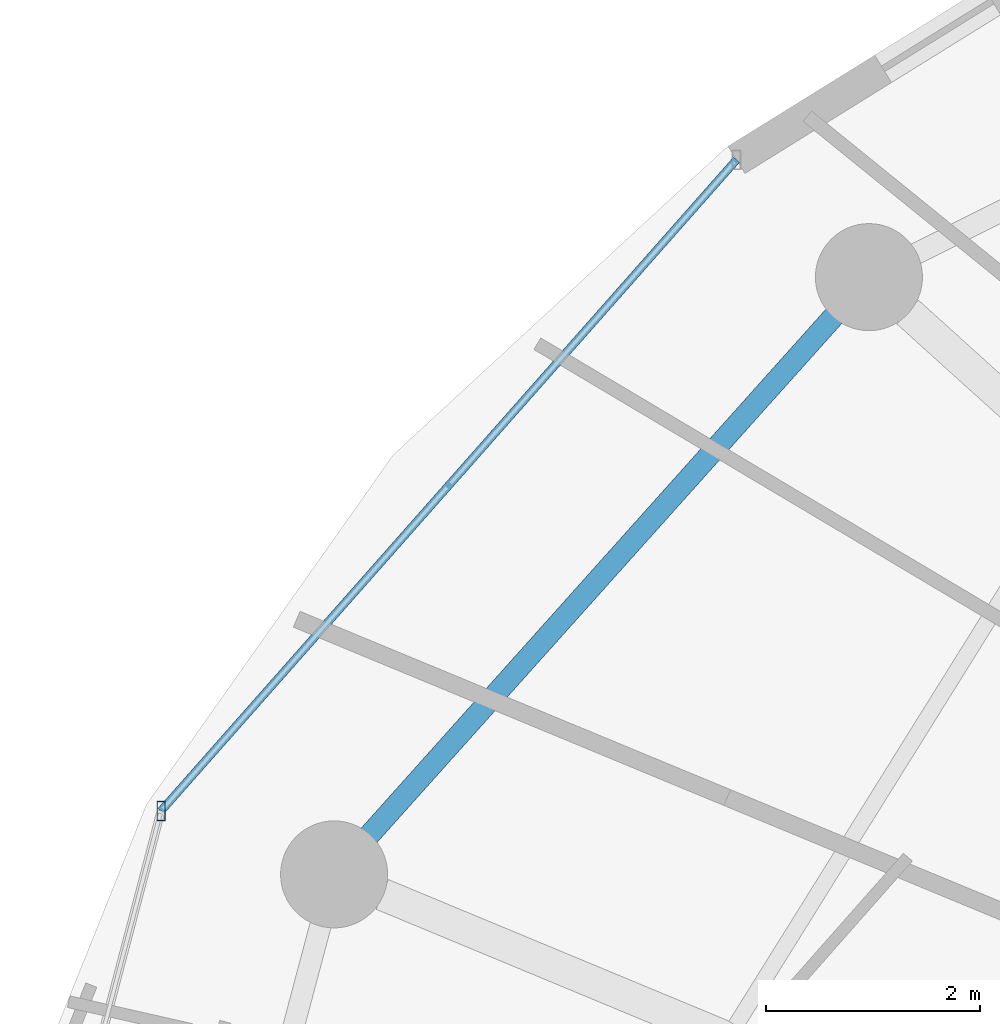
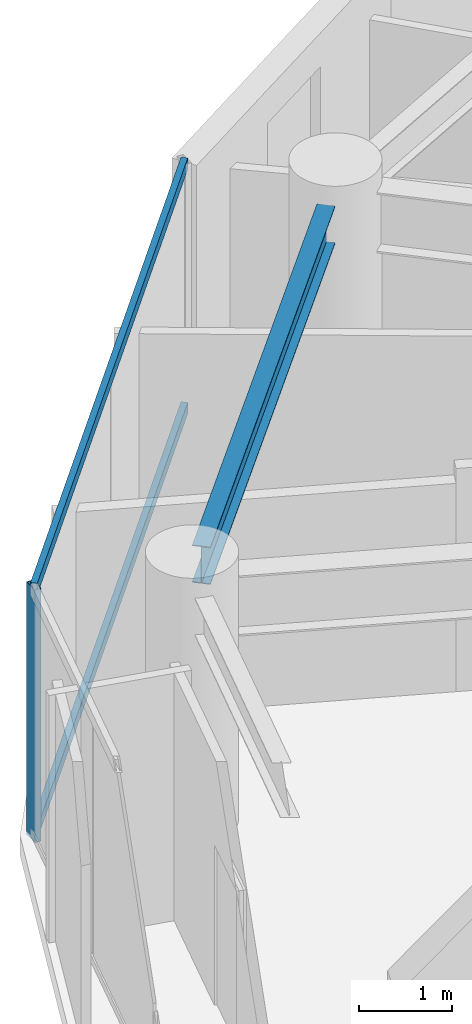
# One storey, part 8 of 28: 3 members, 1 beam, 1 element without a shape of its own.
"""IFC4 building model written with IfcOpenShell, lengths in metres."""

from ifc_helpers import new_model, si_unit, direction, frame, origin, origin_2d, place, context, subcontext, project, spatial, hollow_rectangle, i_section, extrude, material, material_profile, profile_set, type_object, element, aggregate, save


model = new_model("IFC4")

# Units and contexts
model_context = context("Model", 3, precision=1e-05, world=origin(), true_north=direction((0.0, 1.0)))
body_context = subcontext(model_context, "Body", "Model", "MODEL_VIEW")
ifc_project = project(units=[si_unit("LENGTHUNIT", "METRE"), si_unit("AREAUNIT", "SQUARE_METRE"), si_unit("VOLUMEUNIT", "CUBIC_METRE"), si_unit("PLANEANGLEUNIT", "RADIAN"), si_unit("MASSUNIT", "GRAM", prefix="KILO")], contexts=[model_context])

# Site, building, storey
site_placement = place(None, origin())
site = spatial("IfcSite", under=ifc_project, at=site_placement, CompositionType="ELEMENT")
building_placement = place(site_placement, origin())
building = spatial("IfcBuilding", under=site, at=building_placement, Name="Vorneva Point Tower", CompositionType="ELEMENT")
storey_placement = place(building_placement, frame((0.0, 0.0, 146.60009765625)))
storey = spatial("IfcBuildingStorey", under=building, at=storey_placement, Name="L39", CompositionType="ELEMENT", Elevation=146.60009765625)

# Beam
ifc_material_1 = material(Name="Steel S355", Category="steel")
ifc_material_profile_1 = material_profile(ifc_material_1, i_section(OverallWidth=0.199951171875, OverallDepth=0.491943359375, WebThickness=0.0087890625, FlangeThickness=0.011962890625, at=origin_2d()), Name="50B1")
ifc_profile_set_1 = profile_set([ifc_material_profile_1], Name="Steel S355")
beam_type = type_object("IfcBeamType", Name="BM-SPN-50B1", PredefinedType="SPANDREL", material=ifc_profile_set_1)
beam_placement = place(storey_placement, frame((21.377685546875, 37.80078125, 2.993896484375), z_axis=(-0.667111118975, -0.74495822362, 0.0), x_axis=(0.74495822362, -0.667111118975, 0.0)))
element("IfcBeam", 1, at=beam_placement, inside=storey, type_object=beam_type, Name="L39 Perimeter Spandrel Ring Beam 07", PredefinedType="SPANDREL", context=body_context, shape_type="SweptSolid", body=[
    extrude(i_section(OverallWidth=0.199951171875, OverallDepth=0.491943359375, WebThickness=0.0087890625, FlangeThickness=0.011962890625, at=origin_2d()), origin(), (0.0, 0.0, 1.0), 6.52001953125),
])

# Curtain wall, members
ifc_material_2 = material(Name="Pale anodised aluminium", Category="aluminium")
curtain_wall_type = type_object("IfcCurtainWallType", Name="CW-RES-SYS", PredefinedType="NOTDEFINED", material=ifc_material_2)
curtain_wall_placement = place(storey_placement, origin())
curtain_wall = element("IfcCurtainWall", 2, at=curtain_wall_placement, inside=storey, type_object=curtain_wall_type, Name="L39 Unitised Curtain Wall CW-L39-R02", PredefinedType="NOTDEFINED")
ifc_material_profile_2 = material_profile(ifc_material_2, hollow_rectangle(XDim=0.074951171875, YDim=0.179931640625, WallThickness=0.00390625, at=origin_2d()), Name="AL-MUL 180x75x4")
ifc_profile_set_2 = profile_set([ifc_material_profile_2], Name="Pale anodised aluminium")
member_type_1 = type_object("IfcMemberType", Name="CW-MUL-180", PredefinedType="MULLION", material=ifc_profile_set_2)
member_1_placement = place(storey_placement, frame((15.087890625, 33.17529296875, -0.0400390625), z_axis=(0.0, 0.0, 1.0), x_axis=(1.0, 0.0, 0.0)))
member_1 = element("IfcMember", 3, at=member_1_placement, type_object=member_type_1, Name="CW-L39-R02 Mullion 02", PredefinedType="MULLION", context=body_context, shape_type="SweptSolid", body=[
    extrude(hollow_rectangle(XDim=0.074951171875, YDim=0.179931640625, WallThickness=0.00390625, at=origin_2d()), origin(), (0.0, 0.0, 1.0), 3.31005859375),
])
ifc_material_profile_3 = material_profile(ifc_material_2, hollow_rectangle(XDim=0.074951171875, YDim=0.14990234375, WallThickness=0.00390625, at=origin_2d()), Name="AL-TRN 150x75x4")
ifc_profile_set_3 = profile_set([ifc_material_profile_3], Name="Pale anodised aluminium")
member_type_2 = type_object("IfcMemberType", Name="CW-TRN-150", PredefinedType="USERDEFINED", material=ifc_profile_set_3)
member_2_placement = place(storey_placement, frame((20.4638671875, 39.25830078125, 0.02001953125), z_axis=(-0.662218216609, -0.749311039283, 0.0), x_axis=(0.749311039283, -0.662218216609, 0.0)))
member_2 = element("IfcMember", 4, at=member_2_placement, type_object=member_type_2, Name="CW-L39-R02 Transom 01.1", ObjectType="TRANSOM", PredefinedType="USERDEFINED", context=body_context, shape_type="SweptSolid", body=[
    extrude(hollow_rectangle(XDim=0.074951171875, YDim=0.14990234375, WallThickness=0.00390625, at=origin_2d()), origin(), (0.0, 0.0, 1.0), 8.1181640625),
])
member_3_placement = place(storey_placement, frame((20.4638671875, 39.25830078125, 3.219970703125), z_axis=(-0.662218216609, -0.749311039283, 0.0), x_axis=(0.749311039283, -0.662218216609, 0.0)))
member_3 = element("IfcMember", 5, at=member_3_placement, type_object=member_type_2, Name="CW-L39-R02 Transom 01.2", ObjectType="TRANSOM", PredefinedType="USERDEFINED", context=body_context, shape_type="SweptSolid", body=[
    extrude(hollow_rectangle(XDim=0.074951171875, YDim=0.14990234375, WallThickness=0.00390625, at=origin_2d()), origin(), (0.0, 0.0, 1.0), 8.1181640625),
])
aggregate(curtain_wall, [member_1, member_2, member_3])

save(model, "model.ifc")
